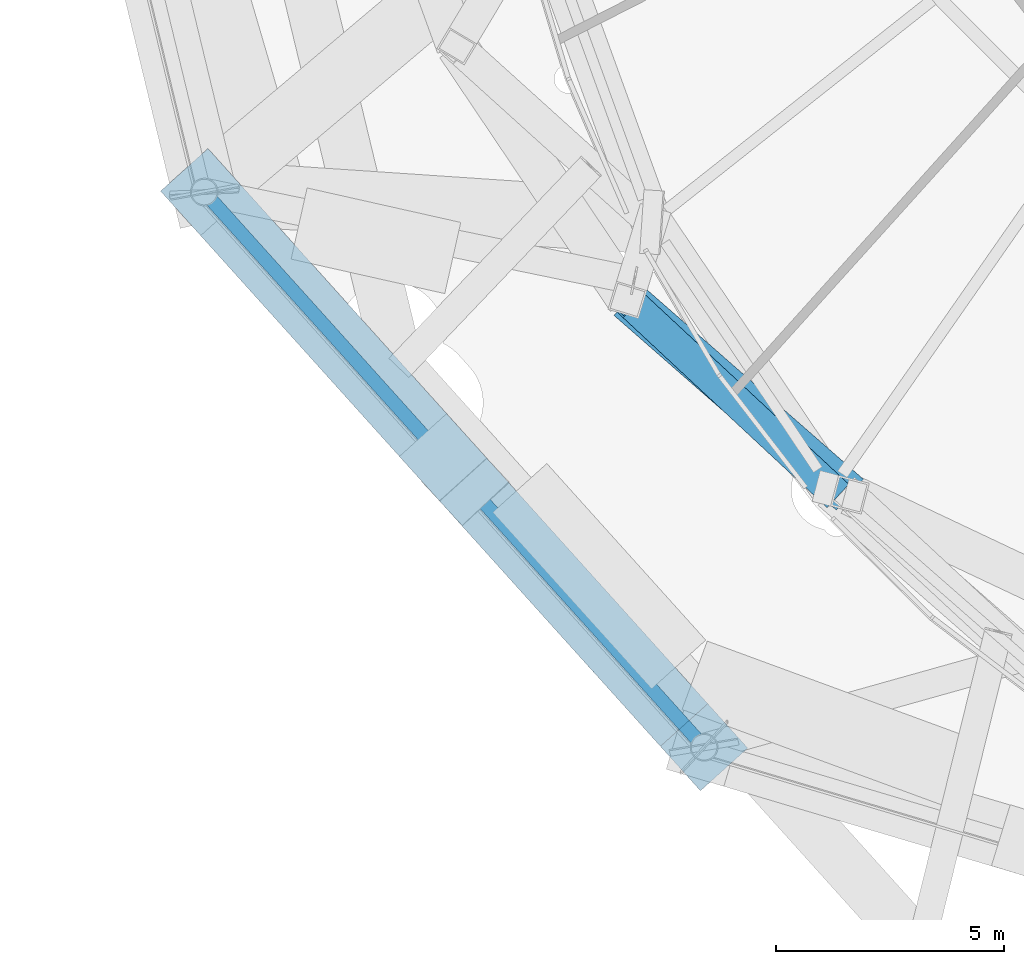
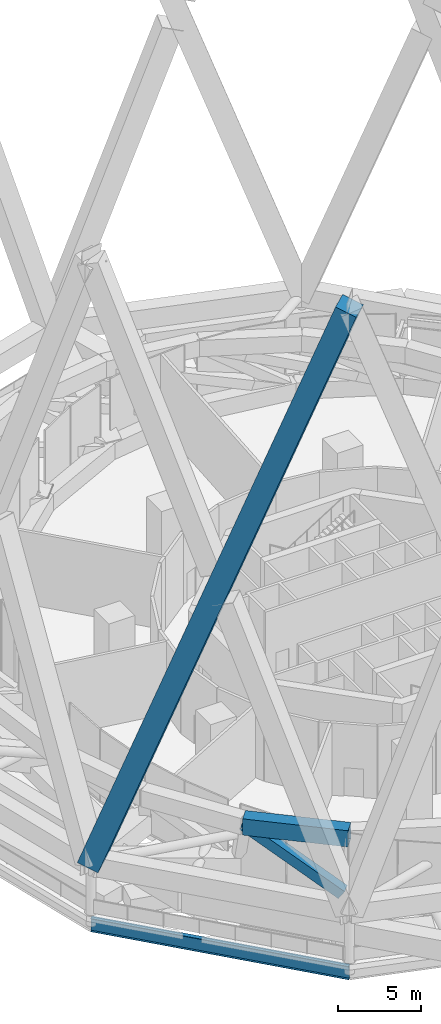
# One storey, part 2 of 60: 3 beams, 1 member.
"""IFC4 building model written with IfcOpenShell, lengths in metres."""

from ifc_helpers import new_model, si_unit, direction, frame, origin, origin_2d, place, context, subcontext, project, spatial, rectangle, hollow_rectangle, i_section, extrude, material, material_profile, profile_set, type_object, element, save


model = new_model("IFC4")

# Units and contexts
model_context = context("Model", 3, precision=1e-05, world=origin(), true_north=direction((0.0, 1.0)))
body_context = subcontext(model_context, "Body", "Model", "MODEL_VIEW")
ifc_project = project(units=[si_unit("LENGTHUNIT", "METRE"), si_unit("AREAUNIT", "SQUARE_METRE"), si_unit("VOLUMEUNIT", "CUBIC_METRE"), si_unit("PLANEANGLEUNIT", "RADIAN"), si_unit("MASSUNIT", "GRAM", prefix="KILO")], contexts=[model_context])

# Site, building, storey
site_placement = place(None, origin())
site = spatial("IfcSite", under=ifc_project, at=site_placement, CompositionType="ELEMENT")
building_placement = place(site_placement, origin())
building = spatial("IfcBuilding", under=site, at=building_placement, Name="Nagisa Residences", CompositionType="ELEMENT")
storey_placement = place(building_placement, frame((0.0, 0.0, 206.60009765625)))
storey = spatial("IfcBuildingStorey", under=building, at=storey_placement, Name="L52", CompositionType="ELEMENT", Elevation=206.60009765625)

# Beams
ifc_material_1 = material(Name="Steel ASTM A572 Gr 50", Category="steel")
ifc_material_profile_1 = material_profile(ifc_material_1, hollow_rectangle(XDim=0.89990234375, YDim=1.199951171875, WallThickness=0.044921875, at=origin_2d()), Name="BX 900x1200x45")
ifc_profile_set_1 = profile_set([ifc_material_profile_1], Name="Steel ASTM A572 Gr 50")
beam_type_1 = type_object("IfcBeamType", Name="Belt chord 4 BX 900x1200x45", PredefinedType="BEAM", material=ifc_profile_set_1)
beam_1_placement = place(storey_placement, frame((-18.466552734375, -15.896484375, 4.739990234375), z_axis=(0.752439140648, -0.658661779383, 0.0), x_axis=(0.658661779383, 0.752439140648, 0.0)))
element("IfcBeam", 1, at=beam_1_placement, inside=storey, type_object=beam_type_1, Name="beam:L52:bt4t16", PredefinedType="BEAM", context=body_context, shape_type="SweptSolid", body=[
    extrude(hollow_rectangle(XDim=0.89990234375, YDim=1.199951171875, WallThickness=0.044921875, at=origin_2d()), origin(), (0.0, 0.0, 1.0), 6.48779296875),
])
ifc_material_2 = material(Name="Steel ASTM A572 Gr 50", Category="steel")
ifc_material_profile_2 = material_profile(ifc_material_2, hollow_rectangle(XDim=0.699951171875, YDim=0.699951171875, WallThickness=0.0400390625, at=origin_2d()), Name="BX 700x700x40")
ifc_profile_set_2 = profile_set([ifc_material_profile_2], Name="Steel ASTM A572 Gr 50")
beam_type_2 = type_object("IfcBeamType", Name="Belt diagonal 4 BX 700x700x40", PredefinedType="BEAM", material=ifc_profile_set_2)
beam_2_placement = place(storey_placement, frame((-13.9892578125, -20.064208984375, 0.599853515625), z_axis=(-0.606165392041, 0.564253743799, 0.56051871521), x_axis=(-0.681349224263, -0.7319584924, 0.0)))
element("IfcBeam", 2, at=beam_2_placement, inside=storey, type_object=beam_type_2, Name="beam:L52:bt4da16", PredefinedType="BEAM", context=body_context, shape_type="SweptSolid", body=[
    extrude(hollow_rectangle(XDim=0.699951171875, YDim=0.699951171875, WallThickness=0.0400390625, at=origin_2d()), origin(), (0.0, 0.0, 1.0), 7.38623046875),
])

# Member
ifc_material_3 = material(Name="Concrete C80", Category="concrete")
ifc_material_profile_3 = material_profile(ifc_material_3, rectangle(XDim=1.39990234375, YDim=1.39990234375, at=origin_2d()), Name="C80 1400x1400")
ifc_profile_set_3 = profile_set([ifc_material_profile_3], Name="Concrete C80")
member_type = type_object("IfcMemberType", Name="Cage diagonal 5 C80 1400x1400", PredefinedType="BRACE", material=ifc_profile_set_3)
member_placement = place(storey_placement, frame((-27.7548828125, -13.52734375, 3.699951171875), z_axis=(0.231315308961, -0.256936929879, 0.938337168562), x_axis=(0.743190478915, 0.669079899601, 0.0)))
element("IfcMember", 3, at=member_placement, inside=storey, type_object=member_type, Name="mem:L52:cg5d015", PredefinedType="BRACE", context=body_context, shape_type="SweptSolid", body=[
    extrude(rectangle(XDim=1.39990234375, YDim=1.39990234375, at=origin_2d()), origin(), (0.0, 0.0, 1.0), 47.42431640625),
])

# Beam
ifc_material_4 = material(Name="Steel ASTM A572 Gr 50", Category="steel")
ifc_material_profile_4 = material_profile(ifc_material_4, i_section(OverallWidth=0.300048828125, OverallDepth=0.97998046875, WebThickness=0.0166015625, FlangeThickness=0.02587890625, at=origin_2d()), Name="W1000x249")
ifc_profile_set_4 = profile_set([ifc_material_profile_4], Name="Steel ASTM A572 Gr 50")
beam_type_3 = type_object("IfcBeamType", Name="Deck edge beam W1000x249", PredefinedType="BEAM", material=ifc_profile_set_4)
beam_3_placement = place(storey_placement, frame((-27.7548828125, -13.52734375, -0.89013671875), z_axis=(0.669079899601, -0.743190478915, 0.0), x_axis=(0.743190478915, 0.669079899601, 0.0)))
element("IfcBeam", 4, at=beam_3_placement, inside=storey, type_object=beam_type_3, Name="beam:L52:deckedge08", PredefinedType="BEAM", context=body_context, shape_type="SweptSolid", body=[
    extrude(i_section(OverallWidth=0.300048828125, OverallDepth=0.97998046875, WebThickness=0.0166015625, FlangeThickness=0.02587890625, at=origin_2d()), origin(), (0.0, 0.0, 1.0), 16.3955078125),
])

save(model, "model.ifc")
